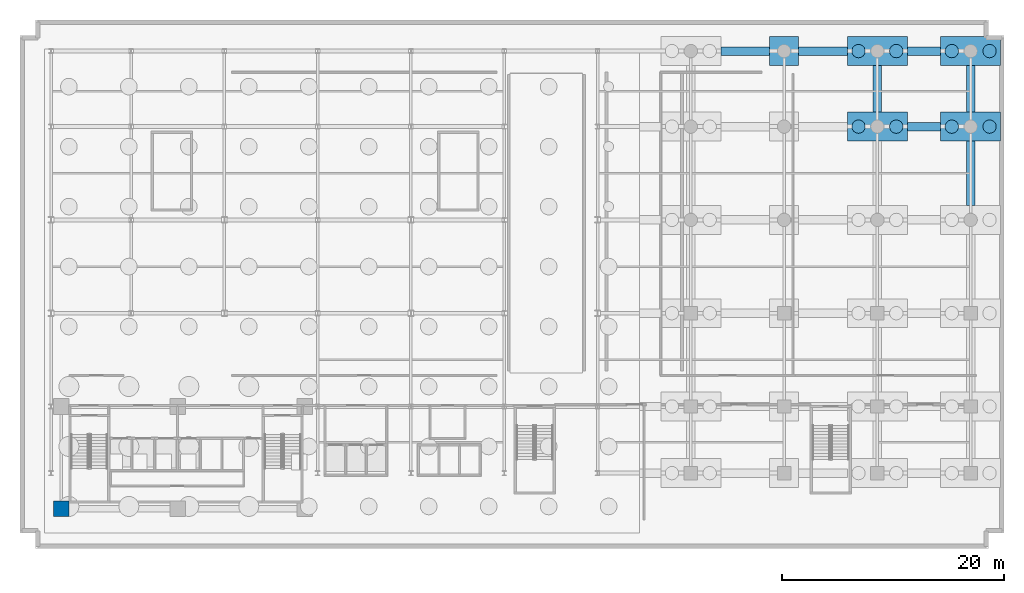
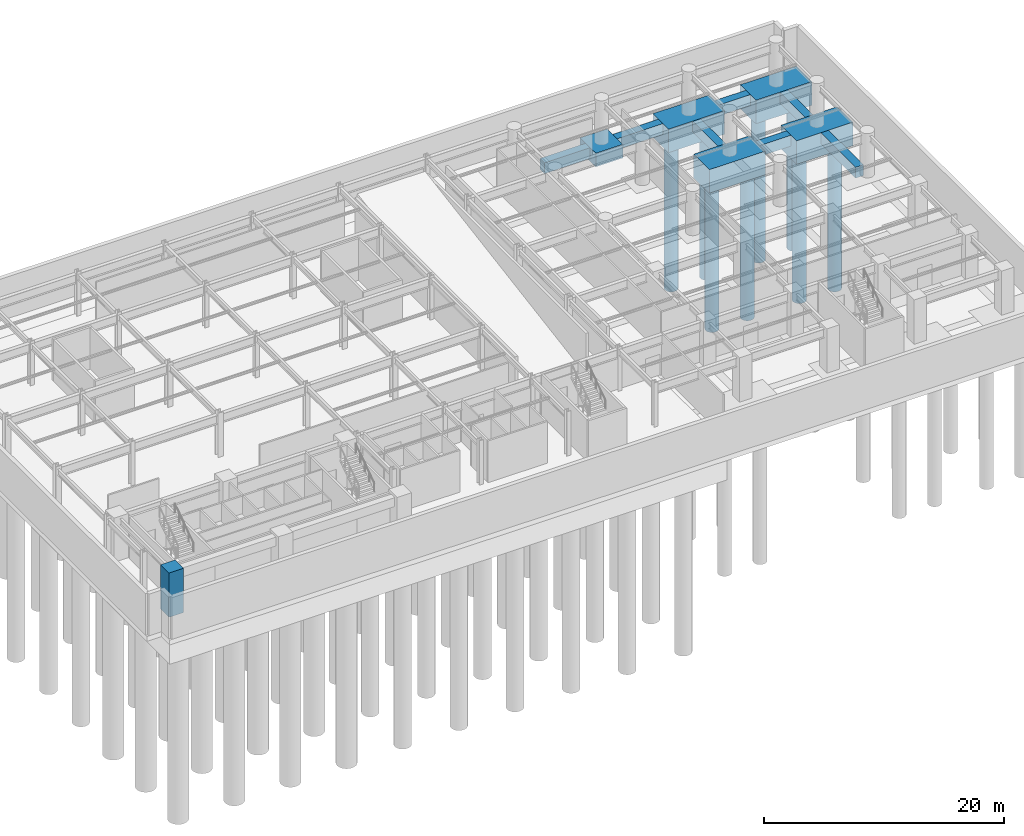
# One storey, part 2 of 14: 12 footings, 8 piles, 1 column.
"""IFC4 building model written with IfcOpenShell, lengths in metres."""

from ifc_helpers import new_model, si_unit, direction, frame, origin, origin_2d, place, context, subcontext, project, spatial, rectangle, circle, extrude, material, layer, layer_set, material_profile, profile_set, type_object, element, save


model = new_model("IFC4")

# Units and contexts
model_context = context("Model", 3, precision=1e-05, world=origin(), true_north=direction((0.0, 1.0)))
body_context = subcontext(model_context, "Body", "Model", "MODEL_VIEW")
ifc_project = project(units=[si_unit("LENGTHUNIT", "METRE"), si_unit("AREAUNIT", "SQUARE_METRE"), si_unit("VOLUMEUNIT", "CUBIC_METRE"), si_unit("PLANEANGLEUNIT", "RADIAN"), si_unit("MASSUNIT", "GRAM", prefix="KILO")], contexts=[model_context])

# Site, building, storey
site_placement = place(None, origin())
site = spatial("IfcSite", under=ifc_project, at=site_placement, CompositionType="ELEMENT")
building_placement = place(site_placement, origin())
building = spatial("IfcBuilding", under=site, at=building_placement, Name="Varnakote Quay Hospital", CompositionType="ELEMENT")
storey_placement = place(building_placement, frame((0.0, 0.0, -9.0)))
storey = spatial("IfcBuildingStorey", under=building, at=storey_placement, Name="B02", CompositionType="ELEMENT", Elevation=-9.0)

# Footings
ifc_material_1 = material(Name="Concrete N50 (f'c 50 MPa)", Category="concrete")
ifc_layer_1 = layer(ifc_material_1, 1.39990234375)
ifc_layer_set_1 = layer_set([ifc_layer_1], Name="Concrete N50 (f'c 50 MPa)")
footing_type_1 = type_object("IfcFootingType", Name="FTG-PAD-1400", PredefinedType="PAD_FOOTING", material=ifc_layer_set_1)
footing_1_placement = place(storey_placement, frame((67.199951171875, 44.0, -1.39990234375), z_axis=(0.0, 0.0, 1.0), x_axis=(1.0, 0.0, 0.0)))
element("IfcFooting", 1, at=footing_1_placement, inside=storey, type_object=footing_type_1, Name="Podium Pad Footing PF-25", PredefinedType="PAD_FOOTING", context=body_context, shape_type="SweptSolid", body=[
    extrude(rectangle(XDim=2.60009765625, YDim=2.60009765625, at=origin_2d()), origin(), (0.0, 0.0, 1.0), 1.39990234375),
])
ifc_material_2 = material(Name="Concrete N50 (f'c 50 MPa)", Category="concrete")
ifc_layer_2 = layer(ifc_material_2, 2.39990234375)
ifc_layer_set_2 = layer_set([ifc_layer_2], Name="Concrete N50 (f'c 50 MPa)")
footing_type_2 = type_object("IfcFootingType", Name="FTG-PILE-CAP-2400", PredefinedType="PILE_CAP", material=ifc_layer_set_2)
for number, where, z_axis, x_axis, name in (
    (2, (75.60009765625, 37.199951171875, -2.39990234375), (0.0, 0.0, 1.0), (1.0, 0.0, 0.0), "Podium Bored Pile Cap PC-12"),
    (3, (75.60009765625, 44.0, -2.39990234375), (0.0, 0.0, 1.0), (1.0, 0.0, 0.0), "Podium Bored Pile Cap PC-13"),
    (4, (84.0, 37.199951171875, -2.39990234375), (0.0, 0.0, 1.0), (1.0, 0.0, 0.0), "Podium Bored Pile Cap PC-18"),
    (5, (84.0, 44.0, -2.39990234375), (0.0, 0.0, 1.0), (1.0, 0.0, 0.0), "Podium Bored Pile Cap PC-19"),
):
    element("IfcFooting", number, at=place(storey_placement, frame(where, z_axis=z_axis, x_axis=x_axis)), inside=storey, type_object=footing_type_2, Name=name, PredefinedType="PILE_CAP", context=body_context, shape_type="SweptSolid", body=[
        extrude(rectangle(XDim=5.39990234375, YDim=2.60009765625, at=origin_2d()), origin(), (0.0, 0.0, 1.0), 2.39990234375),
    ])
ifc_material_3 = material(Name="Concrete N50 (f'c 50 MPa)", Category="concrete")
ifc_material_profile_1 = material_profile(ifc_material_3, rectangle(XDim=0.75, YDim=1.10009765625, at=origin_2d()), Name="RC-GB-750x1100")
ifc_profile_set_1 = profile_set([ifc_material_profile_1], Name="Concrete N50 (f'c 50 MPa)")
footing_type_3 = type_object("IfcFootingType", Name="FTG-TIE-BEAM-750x1100", PredefinedType="FOOTING_BEAM", material=ifc_profile_set_1)
footing_2_placement = place(storey_placement, frame((84.0, 30.10009765625, -0.550048828125), z_axis=(0.0, 1.0, 0.0), x_axis=(-1.0, 0.0, 0.0)))
element("IfcFooting", 6, at=footing_2_placement, inside=storey, type_object=footing_type_3, Name="Foundation Ground Tie Beam GB-28", PredefinedType="FOOTING_BEAM", context=body_context, shape_type="SweptSolid", body=[
    extrude(rectangle(XDim=0.75, YDim=1.10009765625, at=origin_2d()), origin(), (0.0, 0.0, 1.0), 5.7998046875),
])
footing_3_placement = place(storey_placement, frame((78.300048828125, 37.199951171875, -0.550048828125), z_axis=(1.0, 0.0, 0.0), x_axis=(0.0, 1.0, 0.0)))
element("IfcFooting", 7, at=footing_3_placement, inside=storey, type_object=footing_type_3, Name="Foundation Ground Tie Beam GB-32", PredefinedType="FOOTING_BEAM", context=body_context, shape_type="SweptSolid", body=[
    extrude(rectangle(XDim=0.75, YDim=1.10009765625, at=origin_2d()), origin(), (0.0, 0.0, 1.0), 3.0),
])
for number, where, z_axis, x_axis, name in (
    (8, (75.60009765625, 38.5, -0.550048828125), (0.0, 1.0, 0.0), (-1.0, 0.0, 0.0), "Foundation Ground Tie Beam GB-34"),
    (9, (84.0, 38.5, -0.550048828125), (0.0, 1.0, 0.0), (-1.0, 0.0, 0.0), "Foundation Ground Tie Beam GB-35"),
):
    element("IfcFooting", number, at=place(storey_placement, frame(where, z_axis=z_axis, x_axis=x_axis)), inside=storey, type_object=footing_type_3, Name=name, PredefinedType="FOOTING_BEAM", context=body_context, shape_type="SweptSolid", body=[
        extrude(rectangle(XDim=0.75, YDim=1.10009765625, at=origin_2d()), origin(), (0.0, 0.0, 1.0), 4.199951171875),
    ])
for number, where, z_axis, x_axis, name in (
    (10, (61.5, 44.0, -0.550048828125), (1.0, 0.0, 0.0), (0.0, 1.0, 0.0), "Foundation Ground Tie Beam GB-36"),
    (11, (68.5, 44.0, -0.550048828125), (1.0, 0.0, 0.0), (0.0, 1.0, 0.0), "Foundation Ground Tie Beam GB-37"),
):
    element("IfcFooting", number, at=place(storey_placement, frame(where, z_axis=z_axis, x_axis=x_axis)), inside=storey, type_object=footing_type_3, Name=name, PredefinedType="FOOTING_BEAM", context=body_context, shape_type="SweptSolid", body=[
        extrude(rectangle(XDim=0.75, YDim=1.10009765625, at=origin_2d()), origin(), (0.0, 0.0, 1.0), 4.39990234375),
    ])
footing_4_placement = place(storey_placement, frame((78.300048828125, 44.0, -0.550048828125), z_axis=(1.0, 0.0, 0.0), x_axis=(0.0, 1.0, 0.0)))
element("IfcFooting", 12, at=footing_4_placement, inside=storey, type_object=footing_type_3, Name="Foundation Ground Tie Beam GB-38", PredefinedType="FOOTING_BEAM", context=body_context, shape_type="SweptSolid", body=[
    extrude(rectangle(XDim=0.75, YDim=1.10009765625, at=origin_2d()), origin(), (0.0, 0.0, 1.0), 3.0),
])

# Piles
ifc_material_4 = material(Name="Concrete N50 (f'c 50 MPa)", Category="concrete")
ifc_material_profile_2 = material_profile(ifc_material_4, circle(Radius=0.60009765625, at=origin_2d()), Name="PILE-D1200")
ifc_profile_set_2 = profile_set([ifc_material_profile_2], Name="Concrete N50 (f'c 50 MPa)")
pile_type = type_object("IfcPileType", Name="PILE-BORED-D1200", PredefinedType="BORED", material=ifc_profile_set_2)
for number, where, z_axis, x_axis, name in (
    (13, (73.89990234375, 37.199951171875, -2.280029296875), (0.0, 0.0, -1.0), (1.0, 0.0, 0.0), "Podium Cap Bored Pile P-101"),
    (14, (77.300048828125, 37.199951171875, -2.280029296875), (0.0, 0.0, -1.0), (1.0, 0.0, 0.0), "Podium Cap Bored Pile P-102"),
    (15, (73.89990234375, 44.0, -2.280029296875), (0.0, 0.0, -1.0), (1.0, 0.0, 0.0), "Podium Cap Bored Pile P-103"),
    (16, (77.300048828125, 44.0, -2.280029296875), (0.0, 0.0, -1.0), (1.0, 0.0, 0.0), "Podium Cap Bored Pile P-104"),
    (17, (82.300048828125, 37.199951171875, -2.280029296875), (0.0, 0.0, -1.0), (1.0, 0.0, 0.0), "Podium Cap Bored Pile P-113"),
    (18, (85.699951171875, 37.199951171875, -2.280029296875), (0.0, 0.0, -1.0), (1.0, 0.0, 0.0), "Podium Cap Bored Pile P-114"),
    (19, (82.300048828125, 44.0, -2.280029296875), (0.0, 0.0, -1.0), (1.0, 0.0, 0.0), "Podium Cap Bored Pile P-115"),
    (20, (85.699951171875, 44.0, -2.280029296875), (0.0, 0.0, -1.0), (1.0, 0.0, 0.0), "Podium Cap Bored Pile P-116"),
):
    element("IfcPile", number, at=place(storey_placement, frame(where, z_axis=z_axis, x_axis=x_axis)), inside=storey, type_object=pile_type, Name=name, PredefinedType="BORED", context=body_context, shape_type="SweptSolid", body=[
        extrude(circle(Radius=0.60009765625, at=origin_2d()), origin(), (0.0, 0.0, 1.0), 15.0),
    ])

# Column
ifc_material_5 = material(Name="Concrete N80 (f'c 80 MPa)", Category="concrete")
ifc_material_profile_3 = material_profile(ifc_material_5, rectangle(XDim=1.39990234375, YDim=1.39990234375, at=origin_2d()), Name="RC-COL-1400x1400")
ifc_profile_set_3 = profile_set([ifc_material_profile_3], Name="Concrete N80 (f'c 80 MPa)")
column_type = type_object("IfcColumnType", Name="COL-RC-1400", PredefinedType="COLUMN", material=ifc_profile_set_3)
column_placement = place(storey_placement, frame((2.10009765625, 2.800048828125, 0.0), z_axis=(0.0, 0.0, 1.0), x_axis=(1.0, 0.0, 0.0)))
element("IfcColumn", 21, at=column_placement, inside=storey, type_object=column_type, Name="B02 Structural Column C-2-3", PredefinedType="COLUMN", context=body_context, shape_type="SweptSolid", body=[
    extrude(rectangle(XDim=1.39990234375, YDim=1.39990234375, at=origin_2d()), origin(), (0.0, 0.0, 1.0), 4.5),
])

save(model, "model.ifc")
